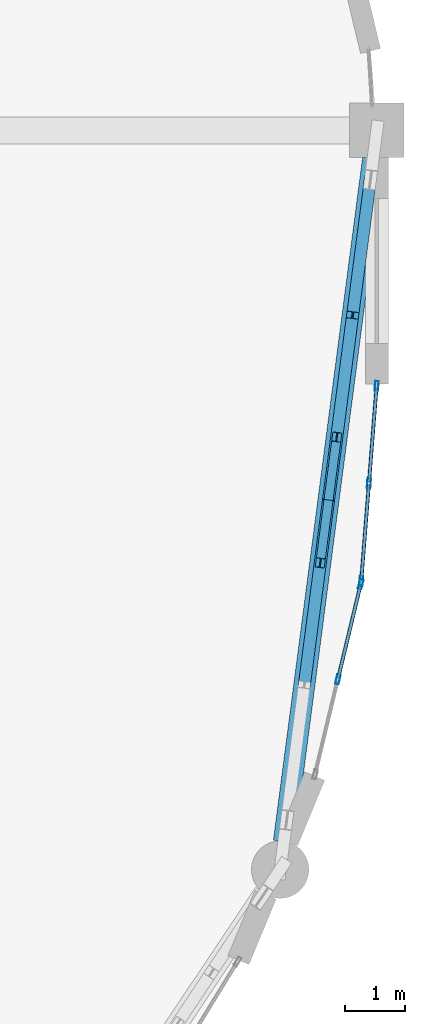
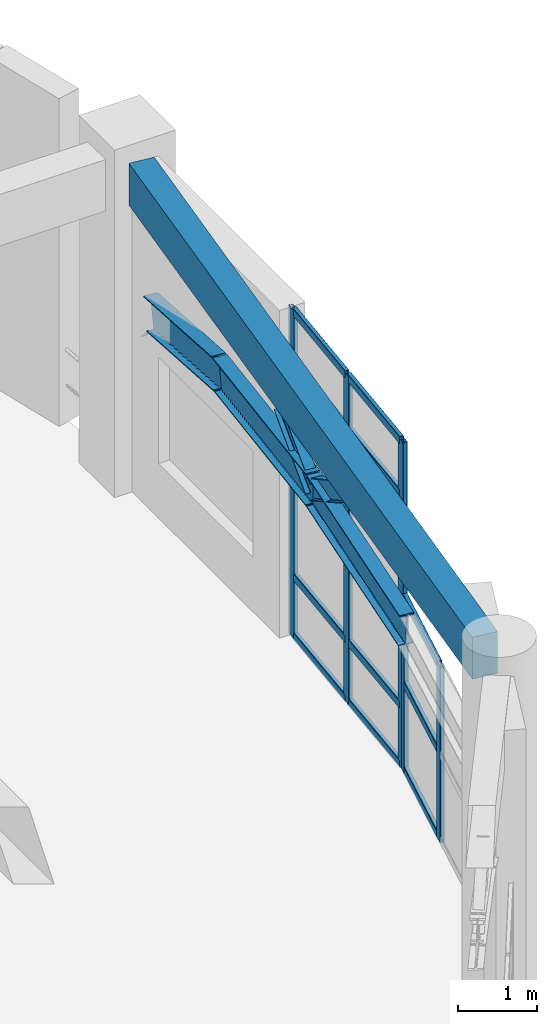
# One storey, part 59 of 114: 18 members, 4 beams, 2 elements without a shape of their own.
"""IFC4 building model written with IfcOpenShell, lengths in metres."""

import ifcopenshell
import ifcopenshell.guid

model = None  # the IFC model being written
_history = None  # IfcOwnerHistory: only IFC2X3 demands one
_inside = {}  # id of a spatial element -> (the spatial element, [elements in it])
_under = {}  # id of a project, library or spatial element -> (it, [spatial elements below it])
_declared = {}  # id of a project -> (the project, [libraries it declares])
_typed = {}  # id of a type object -> (the type object, [elements of that type])
_made_of = {}  # id of a material, layer set ... -> (it, [elements and type objects made of it])


def new_model(schema):
    """Start an empty IFC model of exactly this schema.

    Asked for "IFC4X3", IfcOpenShell would pick the latest addendum, in which some entities
    have other attributes; the version numbers below select the first issue.
    IFC2X3 requires an IfcOwnerHistory on every rooted entity: one is made here for all.
    """
    global model, _history
    if schema == "IFC4X3":
        model = ifcopenshell.file(schema_version=(4, 3, 0, 0))
    else:
        model = ifcopenshell.file(schema=schema)
    _inside.clear()
    _under.clear()
    _declared.clear()
    _typed.clear()
    _made_of.clear()
    _history = None
    if model.schema == "IFC2X3":
        org = make("IfcOrganization", Name="unknown")
        user = make(
            "IfcPersonAndOrganization",
            ThePerson=make("IfcPerson", FamilyName="unknown"),
            TheOrganization=org,
        )
        app = make(
            "IfcApplication",
            ApplicationDeveloper=org,
            Version="unknown",
            ApplicationFullName="unknown",
            ApplicationIdentifier="unknown",
        )
        _history = make(
            "IfcOwnerHistory",
            OwningUser=user,
            OwningApplication=app,
            ChangeAction="ADDED",
            CreationDate=0,
        )
    return model


def make(cls, **values):
    """One entity of the class cls with the attributes given. An attribute that is None is left unset."""
    return model.create_entity(
        cls, **{name: value for name, value in values.items() if value is not None}
    )


def rooted(cls, **values):
    """An entity with a GlobalId (a new one), such as an element, a storey or a relation."""
    return make(cls, GlobalId=ifcopenshell.guid.new(), OwnerHistory=_history, **values)


def si_unit(unit_type, name, prefix=None):
    """IfcSIUnit, for example si_unit("LENGTHUNIT", "METRE", prefix="MILLI")."""
    return make("IfcSIUnit", UnitType=unit_type, Prefix=prefix, Name=name)


def derived_unit(unit_type, elements):
    """IfcDerivedUnit: a product of units, each with its exponent."""
    return make(
        "IfcDerivedUnit",
        Elements=[
            make("IfcDerivedUnitElement", Unit=unit, Exponent=power)
            for unit, power in elements
        ],
        UnitType=unit_type,
    )


def assignment(units):
    """IfcUnitAssignment: the units of a project."""
    return None if units is None else make("IfcUnitAssignment", Units=units)


def point(xyz):
    """IfcCartesianPoint."""
    return None if xyz is None else make("IfcCartesianPoint", Coordinates=xyz)


def direction(xyz):
    """IfcDirection."""
    return None if xyz is None else make("IfcDirection", DirectionRatios=xyz)


def frame(location, z_axis=None, x_axis=None):
    """IfcAxis2Placement3D, a coordinate frame: its origin and axes. An axis left out is left unset."""
    return make(
        "IfcAxis2Placement3D",
        Location=point(location),
        Axis=direction(z_axis),
        RefDirection=direction(x_axis),
    )


def frame_2d(location, x_axis=None):
    """IfcAxis2Placement2D, a coordinate frame in the plane: its origin and x axis."""
    return make(
        "IfcAxis2Placement2D", Location=point(location), RefDirection=direction(x_axis)
    )


def origin():
    """The frame at (0, 0, 0) with its axes left unset."""
    return frame((0.0, 0.0, 0.0))


def origin_2d():
    """The frame at (0, 0) in the plane with its x axis left unset."""
    return frame_2d((0.0, 0.0))


def place(relative_to, where):
    """IfcLocalPlacement: puts the frame where relative to a parent placement (None: the world)."""
    return make(
        "IfcLocalPlacement", PlacementRelTo=relative_to, RelativePlacement=where
    )


def context(
    kind, dimensions, precision=None, world=None, true_north=None, identifier=None
):
    """IfcGeometricRepresentationContext, for example the 3D "Model" context."""
    return make(
        "IfcGeometricRepresentationContext",
        ContextIdentifier=identifier,
        ContextType=kind,
        CoordinateSpaceDimension=dimensions,
        Precision=precision,
        WorldCoordinateSystem=world,
        TrueNorth=true_north,
    )


def subcontext(parent, identifier, kind, view, scale=None):
    """IfcGeometricRepresentationSubContext, for example "Body" below "Model"."""
    return make(
        "IfcGeometricRepresentationSubContext",
        ContextIdentifier=identifier,
        ContextType=kind,
        ParentContext=parent,
        TargetScale=scale,
        TargetView=view,
    )


def project(units=None, contexts=None):
    """IfcProject with its units and contexts."""
    return rooted(
        "IfcProject",
        Name="project",
        RepresentationContexts=contexts,
        UnitsInContext=assignment(units),
    )


def spatial(cls, under=None, at=None, **own):
    """A site, building, storey or space (cls), placed at a placement, below another one or the project."""
    s = rooted(cls, ObjectPlacement=at, **own)
    if under is not None:
        _under.setdefault(under.id(), (under, []))[1].append(s)
    return s


def profile(cls, at=None, kind="AREA", **sizes):
    """A parametric profile (cls). Its sizes go by their IFC names, for example OverallWidth=200.0."""
    return make(cls, ProfileType=kind, Position=at, **sizes)


def rectangle(**sizes):
    """IfcRectangleProfileDef."""
    return profile("IfcRectangleProfileDef", **sizes)


def hollow_rectangle(**sizes):
    """IfcRectangleHollowProfileDef."""
    return profile("IfcRectangleHollowProfileDef", **sizes)


def i_section(**sizes):
    """IfcIShapeProfileDef."""
    return profile("IfcIShapeProfileDef", **sizes)


def extrude(swept, where, along, depth):
    """IfcExtrudedAreaSolid: the profile swept, set in the frame where, extruded along a direction by depth."""
    return make(
        "IfcExtrudedAreaSolid",
        SweptArea=swept,
        Position=where,
        ExtrudedDirection=direction(along),
        Depth=depth,
    )


def shape(context_of_items, identifier, shape_type, items):
    """IfcShapeRepresentation: the items that make up one representation, for example the "Body"."""
    return make(
        "IfcShapeRepresentation",
        ContextOfItems=context_of_items,
        RepresentationIdentifier=identifier,
        RepresentationType=shape_type,
        Items=items,
    )


def material(Name=None, Category=None):
    """IfcMaterial."""
    return make("IfcMaterial", Name=Name, Category=Category)


def layer(
    of_material, thickness, ventilated=None, Name=None, Category=None, Priority=None
):
    """IfcMaterialLayer: one layer of a wall or slab, of a material (None: an air gap)."""
    return make(
        "IfcMaterialLayer",
        Material=of_material,
        LayerThickness=thickness,
        IsVentilated=ventilated,
        Name=Name,
        Category=Category,
        Priority=Priority,
    )


def layer_set(layers, Name=None):
    """IfcMaterialLayerSet."""
    return make("IfcMaterialLayerSet", MaterialLayers=layers, LayerSetName=Name)


def material_profile(
    of_material, cross_section, Name=None, Category=None, Priority=None
):
    """IfcMaterialProfile: a cross section and its material."""
    return make(
        "IfcMaterialProfile",
        Name=Name,
        Material=of_material,
        Profile=cross_section,
        Priority=Priority,
        Category=Category,
    )


def profile_set(profiles, Name=None, composite=None):
    """IfcMaterialProfileSet."""
    return make(
        "IfcMaterialProfileSet",
        Name=Name,
        MaterialProfiles=profiles,
        CompositeProfile=composite,
    )


def made_of(thing, what):
    """Note that an element or type object is made of a material, layer set ...; save() writes the relation."""
    if what is not None:
        _made_of.setdefault(what.id(), (what, []))[1].append(thing)
    return thing


def type_object(cls, material=None, **own):
    """A type object (cls), such as IfcWallType, which elements share."""
    return made_of(rooted(cls, **own), material)


def element(
    cls,
    number,
    at=None,
    inside=None,
    cuts=None,
    type_object=None,
    material=None,
    context=None,
    identifier="Body",
    shape_type=None,
    held_by="IfcProductDefinitionShape",
    body=None,
    shapes=None,
    **own,
):
    """One element of the class cls, such as IfcWall. Its Tag is "e" and its number.

    at: its placement. inside: the storey or other place that contains it. cuts: it is an
    opening in that element (IfcRelVoidsElement). A single representation is given by context,
    identifier, shape_type and body (its items); several are given by shapes. held_by: the class
    of the entity that holds the representations. save() writes the other relations.
    """
    e = rooted(cls, Tag="e%d" % number, ObjectPlacement=at, **own)
    if body is not None:
        shapes = [shape(context, identifier, shape_type, body)]
    if shapes is not None:
        e.Representation = make(held_by, Representations=shapes)
    if inside is not None:
        _inside.setdefault(inside.id(), (inside, []))[1].append(e)
    if cuts is not None:
        rooted(
            "IfcRelVoidsElement", RelatingBuildingElement=cuts, RelatedOpeningElement=e
        )
    if type_object is not None:
        _typed.setdefault(type_object.id(), (type_object, []))[1].append(e)
    return made_of(e, material)


def aggregate(whole, parts):
    """IfcRelAggregates: a whole, such as a stair, and the parts it consists of."""
    return rooted("IfcRelAggregates", RelatingObject=whole, RelatedObjects=parts)


def save(model, path):
    """Write the relations noted so far, then the file.

    IfcRelAggregates (storeys below a building ...), IfcRelContainedInSpatialStructure (elements
    in a storey), IfcRelDefinesByType, IfcRelAssociatesMaterial and IfcRelDeclares: one each for
    every whole, place, type object, material and project.
    """
    for whole, parts in _under.values():
        aggregate(whole, parts)
    for where, things in _inside.values():
        rooted(
            "IfcRelContainedInSpatialStructure",
            RelatedElements=things,
            RelatingStructure=where,
        )
    for kind, things in _typed.values():
        rooted("IfcRelDefinesByType", RelatedObjects=things, RelatingType=kind)
    for what, things in _made_of.values():
        rooted("IfcRelAssociatesMaterial", RelatedObjects=things, RelatingMaterial=what)
    for by, libraries in _declared.values():
        rooted("IfcRelDeclares", RelatingContext=by, RelatedDefinitions=libraries)
    model.write(path)


model = new_model("IFC4")

# Units and contexts
model_context = context("Model", 3, precision=1e-05, world=origin(), true_north=direction((0.0, 1.0)))
body_context = subcontext(model_context, "Body", "Model", "MODEL_VIEW")
ifc_project = project(units=[si_unit("LENGTHUNIT", "METRE"), si_unit("AREAUNIT", "SQUARE_METRE"), si_unit("VOLUMEUNIT", "CUBIC_METRE"), si_unit("PLANEANGLEUNIT", "RADIAN"), si_unit("MASSUNIT", "GRAM", prefix="KILO"), derived_unit("THERMALTRANSMITTANCEUNIT", [(si_unit("MASSUNIT", "GRAM", prefix="KILO"), 1), (si_unit("TIMEUNIT", "SECOND"), -3), (si_unit("THERMODYNAMICTEMPERATUREUNIT", "KELVIN"), -1)])], contexts=[model_context])

# Site, building, storey
site_placement = place(None, origin())
site = spatial("IfcSite", under=ifc_project, at=site_placement, CompositionType="ELEMENT")
building_placement = place(site_placement, origin())
building = spatial("IfcBuilding", under=site, at=building_placement, Name="Qinzheling Arcade Emporium", CompositionType="ELEMENT")
storey_placement = place(building_placement, frame((0.0, 0.0, 6.0)))
storey = spatial("IfcBuildingStorey", under=building, at=storey_placement, Name="L02", CompositionType="ELEMENT", Elevation=6.0)

# Beams
ifc_material_1 = material(Name="Weathering steel Q355NH", Category="steel")
ifc_material_profile_1 = material_profile(ifc_material_1, i_section(OverallWidth=0.199951171875, OverallDepth=0.5, WebThickness=0.010009765625, FlangeThickness=0.01611328125, FilletRadius=0.01806640625, at=origin_2d()), Name="HN 500x200x10x16", Category="steel")
ifc_profile_set_1 = profile_set([ifc_material_profile_1], Name="Weathering steel Q355NH")
beam_type_1 = type_object("IfcBeamType", Name="Arcade End Arch Rib HN500 Q355NH", PredefinedType="BEAM", material=ifc_profile_set_1)
beam_1_placement = place(storey_placement, frame((172.801025390625, 16.02294921875, 3.509033203125), z_axis=(0.129375867693, 0.989670099016, 0.061765524137), x_axis=(-0.991563303448, 0.129623359222, 0.0)))
element("IfcBeam", 1, at=beam_1_placement, inside=storey, type_object=beam_type_1, Name="Curved Arcade Entrance Arch ARC-L02-CV4-B04-C03", PredefinedType="BEAM", context=body_context, shape_type="SweptSolid", body=[
    extrude(i_section(OverallWidth=0.199951171875, OverallDepth=0.5, WebThickness=0.010009765625, FlangeThickness=0.01611328125, FilletRadius=0.01806640625, at=origin_2d()), origin(), (0.0, 0.0, 1.0), 3.091064453125),
])
beam_2_placement = place(storey_placement, frame((173.200927734375, 19.08203125, 3.699951171875), z_axis=(0.129142870979, 0.989700411842, -0.061767415967), x_axis=(-0.991593790574, 0.12938993197, 0.0)))
element("IfcBeam", 2, at=beam_2_placement, inside=storey, type_object=beam_type_1, Name="Curved Arcade Entrance Arch ARC-L02-CV4-B04-C04", PredefinedType="BEAM", context=body_context, shape_type="SweptSolid", body=[
    extrude(i_section(OverallWidth=0.199951171875, OverallDepth=0.5, WebThickness=0.010009765625, FlangeThickness=0.01611328125, FilletRadius=0.01806640625, at=origin_2d()), origin(), (0.0, 0.0, 1.0), 3.0908203125),
])
beam_3_placement = place(storey_placement, frame((173.60009765625, 22.14111328125, 3.509033203125), z_axis=(0.126432921317, 0.966158240396, -0.224839878408), x_axis=(-0.991546058255, 0.129755209368, 0.0)))
element("IfcBeam", 3, at=beam_3_placement, inside=storey, type_object=beam_type_1, Name="Curved Arcade Entrance Arch ARC-L02-CV4-B04-C05", PredefinedType="BEAM", context=body_context, shape_type="SweptSolid", body=[
    extrude(i_section(OverallWidth=0.199951171875, OverallDepth=0.5, WebThickness=0.010009765625, FlangeThickness=0.01611328125, FilletRadius=0.01806640625, at=origin_2d()), origin(), (0.0, 0.0, 1.0), 2.317138671875),
])

# Members
ifc_material_profile_2 = material_profile(ifc_material_1, i_section(OverallWidth=0.14990234375, OverallDepth=0.300048828125, WebThickness=0.006591796875, FlangeThickness=0.009033203125, FilletRadius=0.012939453125, at=origin_2d()), Name="HN 300x150x6.5x9", Category="steel")
ifc_profile_set_2 = profile_set([ifc_material_profile_2], Name="Weathering steel Q355NH")
member_type_1 = type_object("IfcMemberType", Name="Arcade Spandrel Web Chord HN300 Q355NH", PredefinedType="CHORD", material=ifc_profile_set_2)
for number, where, z_axis, x_axis, name in (
    (4, (173.200927734375, 19.08203125, 3.7099609375), (-0.111375968194, -0.84653677073, 0.52054864279), (0.9914558783, -0.13044248305, 0.0), "Arcade Spandrel Web Chord ASW-L02-CV4-B04-W1"),
    (5, (173.200927734375, 19.08203125, 3.7099609375), (0.110591590629, 0.846611386789, 0.520594525366), (-0.991575755432, 0.129528071242, 0.0), "Arcade Spandrel Web Chord ASW-L02-CV4-B04-W2"),
):
    element("IfcMember", number, at=place(storey_placement, frame(where, z_axis=z_axis, x_axis=x_axis)), inside=storey, type_object=member_type_1, Name=name, PredefinedType="CHORD", context=body_context, shape_type="SweptSolid", body=[
        extrude(i_section(OverallWidth=0.14990234375, OverallDepth=0.300048828125, WebThickness=0.006591796875, FlangeThickness=0.009033203125, FilletRadius=0.012939453125, at=origin_2d()), origin(), (0.0, 0.0, 1.0), 1.229736328125),
    ])

# Curtain wall, members
ifc_material_2 = material(Name="Anodised aluminium and solar-control double glazing", Category="aluminium")
ifc_layer = layer(ifc_material_2, 0.159912109375, Name="Anodised aluminium and solar-control double glazing", Category="aluminium")
ifc_layer_set = layer_set([ifc_layer], Name="Anodised aluminium and solar-control double glazing")
curtain_wall_type = type_object("IfcCurtainWallType", Name="Curved Ribbon Sales Curtain Wall", PredefinedType="NOTDEFINED", material=ifc_layer_set)
curtain_wall_1_placement = place(storey_placement, origin())
curtain_wall_1 = element("IfcCurtainWall", 6, at=curtain_wall_1_placement, inside=storey, type_object=curtain_wall_type, Name="Curtain Wall CW-L02-049", PredefinedType="NOTDEFINED")
ifc_material_3 = material(Name="Anodised aluminium 6063-T6", Category="aluminium")
ifc_material_profile_3 = material_profile(ifc_material_3, hollow_rectangle(XDim=0.06005859375, YDim=0.159912109375, WallThickness=0.00390625, InnerFilletRadius=0.00390625, OuterFilletRadius=0.008056640625, at=origin_2d()), Name="RHS 160x60x4", Category="aluminium")
ifc_profile_set_3 = profile_set([ifc_material_profile_3], Name="Anodised aluminium 6063-T6")
member_type_2 = type_object("IfcMemberType", Name="Curtain Wall Mullion RHS160x60", PredefinedType="MULLION", material=ifc_profile_set_3)
member_1_placement = place(storey_placement, frame((173.99755859375, 20.97021484375, 0.0), z_axis=(0.0, 0.0, 1.0), x_axis=(0.996906288818, -0.078599308618, 0.0)))
member_1 = element("IfcMember", 7, at=member_1_placement, type_object=member_type_2, Name="CW02 mullion 1", PredefinedType="MULLION", context=body_context, shape_type="SweptSolid", body=[
    extrude(hollow_rectangle(XDim=0.06005859375, YDim=0.159912109375, WallThickness=0.00390625, InnerFilletRadius=0.00390625, OuterFilletRadius=0.008056640625, at=origin_2d()), origin(), (0.0, 0.0, 1.0), 5.090087890625),
])
member_2_placement = place(storey_placement, frame((173.87060546875, 19.357421875, 0.0), z_axis=(0.0, 0.0, 1.0), x_axis=(0.996906288818, -0.078599308618, 0.0)))
member_2 = element("IfcMember", 8, at=member_2_placement, type_object=member_type_2, Name="CW02 mullion 2", PredefinedType="MULLION", context=body_context, shape_type="SweptSolid", body=[
    extrude(hollow_rectangle(XDim=0.06005859375, YDim=0.159912109375, WallThickness=0.00390625, InnerFilletRadius=0.00390625, OuterFilletRadius=0.008056640625, at=origin_2d()), origin(), (0.0, 0.0, 1.0), 5.090087890625),
])
member_3_placement = place(storey_placement, frame((173.743408203125, 17.744873046875, 0.0), z_axis=(0.0, 0.0, 1.0), x_axis=(0.996906288818, -0.078599308618, 0.0)))
member_3 = element("IfcMember", 9, at=member_3_placement, type_object=member_type_2, Name="CW02 mullion 3", PredefinedType="MULLION", context=body_context, shape_type="SweptSolid", body=[
    extrude(hollow_rectangle(XDim=0.06005859375, YDim=0.159912109375, WallThickness=0.00390625, InnerFilletRadius=0.00390625, OuterFilletRadius=0.008056640625, at=origin_2d()), origin(), (0.0, 0.0, 1.0), 5.090087890625),
])

curtain_wall_2_placement = place(storey_placement, origin())
curtain_wall_2 = element("IfcCurtainWall", 10, at=curtain_wall_2_placement, inside=storey, type_object=curtain_wall_type, Name="Curtain Wall CW-L02-050", PredefinedType="NOTDEFINED")
member_4_placement = place(storey_placement, frame((173.73388671875, 17.685791015625, 0.0), z_axis=(0.0, 0.0, 1.0), x_axis=(0.972384547081, -0.233384430923, 0.0)))
member_4 = element("IfcMember", 11, at=member_4_placement, type_object=member_type_2, Name="CW02 mullion 1", PredefinedType="MULLION", context=body_context, shape_type="SweptSolid", body=[
    extrude(hollow_rectangle(XDim=0.06005859375, YDim=0.159912109375, WallThickness=0.00390625, InnerFilletRadius=0.00390625, OuterFilletRadius=0.008056640625, at=origin_2d()), origin(), (0.0, 0.0, 1.0), 2.722900390625),
])
member_5_placement = place(storey_placement, frame((173.3564453125, 16.113037109375, 0.0), z_axis=(0.0, 0.0, 1.0), x_axis=(0.972384547081, -0.233384430923, 0.0)))
member_5 = element("IfcMember", 12, at=member_5_placement, type_object=member_type_2, Name="CW02 mullion 2", PredefinedType="MULLION", context=body_context, shape_type="SweptSolid", body=[
    extrude(hollow_rectangle(XDim=0.06005859375, YDim=0.159912109375, WallThickness=0.00390625, InnerFilletRadius=0.00390625, OuterFilletRadius=0.008056640625, at=origin_2d()), origin(), (0.0, 0.0, 1.0), 2.722900390625),
])

# Member
ifc_material_profile_4 = material_profile(ifc_material_3, hollow_rectangle(XDim=0.06005859375, YDim=0.1201171875, WallThickness=0.00390625, InnerFilletRadius=0.00390625, OuterFilletRadius=0.008056640625, at=origin_2d()), Name="RHS 120x60x4", Category="aluminium")
ifc_profile_set_4 = profile_set([ifc_material_profile_4], Name="Anodised aluminium 6063-T6")
member_type_3 = type_object("IfcMemberType", Name="Curtain Wall Transom RHS120x60", PredefinedType="USERDEFINED", material=ifc_profile_set_4)
member_6_placement = place(storey_placement, frame((173.995361328125, 20.940185546875, 0.030029296875), z_axis=(-0.078686088114, -0.996899443042, 0.0), x_axis=(0.996899443042, -0.078686088114, 0.0)))
member_6 = element("IfcMember", 13, at=member_6_placement, type_object=member_type_3, Name="CW02 transom 1.1", ObjectType="TRANSOM", PredefinedType="USERDEFINED", context=body_context, shape_type="SweptSolid", body=[
    extrude(hollow_rectangle(XDim=0.06005859375, YDim=0.1201171875, WallThickness=0.00390625, InnerFilletRadius=0.00390625, OuterFilletRadius=0.008056640625, at=origin_2d()), origin(), (0.0, 0.0, 1.0), 1.5576171875),
])

member_7_placement = place(storey_placement, frame((173.995361328125, 20.940185546875, 0.949951171875), z_axis=(-0.078686088114, -0.996899443042, 0.0), x_axis=(0.996899443042, -0.078686088114, 0.0)))
member_7 = element("IfcMember", 14, at=member_7_placement, type_object=member_type_3, Name="CW02 transom 1.2", ObjectType="TRANSOM", PredefinedType="USERDEFINED", context=body_context, shape_type="SweptSolid", body=[
    extrude(hollow_rectangle(XDim=0.06005859375, YDim=0.1201171875, WallThickness=0.00390625, InnerFilletRadius=0.00390625, OuterFilletRadius=0.008056640625, at=origin_2d()), origin(), (0.0, 0.0, 1.0), 1.5576171875),
])

member_8_placement = place(storey_placement, frame((173.995361328125, 20.940185546875, 4.239990234375), z_axis=(-0.078686088114, -0.996899443042, 0.0), x_axis=(0.996899443042, -0.078686088114, 0.0)))
member_8 = element("IfcMember", 15, at=member_8_placement, type_object=member_type_3, Name="CW02 transom 1.3", ObjectType="TRANSOM", PredefinedType="USERDEFINED", context=body_context, shape_type="SweptSolid", body=[
    extrude(hollow_rectangle(XDim=0.06005859375, YDim=0.1201171875, WallThickness=0.00390625, InnerFilletRadius=0.00390625, OuterFilletRadius=0.008056640625, at=origin_2d()), origin(), (0.0, 0.0, 1.0), 1.5576171875),
])

member_9_placement = place(storey_placement, frame((173.995361328125, 20.940185546875, 5.06005859375), z_axis=(-0.078686088114, -0.996899443042, 0.0), x_axis=(0.996899443042, -0.078686088114, 0.0)))
member_9 = element("IfcMember", 16, at=member_9_placement, type_object=member_type_3, Name="CW02 transom 1.4", ObjectType="TRANSOM", PredefinedType="USERDEFINED", context=body_context, shape_type="SweptSolid", body=[
    extrude(hollow_rectangle(XDim=0.06005859375, YDim=0.1201171875, WallThickness=0.00390625, InnerFilletRadius=0.00390625, OuterFilletRadius=0.008056640625, at=origin_2d()), origin(), (0.0, 0.0, 1.0), 1.5576171875),
])

member_10_placement = place(storey_placement, frame((173.8681640625, 19.32763671875, 0.030029296875), z_axis=(-0.078686088114, -0.996899443042, 0.0), x_axis=(0.996899443042, -0.078686088114, 0.0)))
member_10 = element("IfcMember", 17, at=member_10_placement, type_object=member_type_3, Name="CW02 transom 2.1", ObjectType="TRANSOM", PredefinedType="USERDEFINED", context=body_context, shape_type="SweptSolid", body=[
    extrude(hollow_rectangle(XDim=0.06005859375, YDim=0.1201171875, WallThickness=0.00390625, InnerFilletRadius=0.00390625, OuterFilletRadius=0.008056640625, at=origin_2d()), origin(), (0.0, 0.0, 1.0), 1.5576171875),
])

member_11_placement = place(storey_placement, frame((173.8681640625, 19.32763671875, 0.949951171875), z_axis=(-0.078686088114, -0.996899443042, 0.0), x_axis=(0.996899443042, -0.078686088114, 0.0)))
member_11 = element("IfcMember", 18, at=member_11_placement, type_object=member_type_3, Name="CW02 transom 2.2", ObjectType="TRANSOM", PredefinedType="USERDEFINED", context=body_context, shape_type="SweptSolid", body=[
    extrude(hollow_rectangle(XDim=0.06005859375, YDim=0.1201171875, WallThickness=0.00390625, InnerFilletRadius=0.00390625, OuterFilletRadius=0.008056640625, at=origin_2d()), origin(), (0.0, 0.0, 1.0), 1.5576171875),
])

member_12_placement = place(storey_placement, frame((173.8681640625, 19.32763671875, 4.239990234375), z_axis=(-0.078686088114, -0.996899443042, 0.0), x_axis=(0.996899443042, -0.078686088114, 0.0)))
member_12 = element("IfcMember", 19, at=member_12_placement, type_object=member_type_3, Name="CW02 transom 2.3", ObjectType="TRANSOM", PredefinedType="USERDEFINED", context=body_context, shape_type="SweptSolid", body=[
    extrude(hollow_rectangle(XDim=0.06005859375, YDim=0.1201171875, WallThickness=0.00390625, InnerFilletRadius=0.00390625, OuterFilletRadius=0.008056640625, at=origin_2d()), origin(), (0.0, 0.0, 1.0), 1.5576171875),
])

member_13_placement = place(storey_placement, frame((173.8681640625, 19.32763671875, 5.06005859375), z_axis=(-0.078686088114, -0.996899443042, 0.0), x_axis=(0.996899443042, -0.078686088114, 0.0)))
member_13 = element("IfcMember", 20, at=member_13_placement, type_object=member_type_3, Name="CW02 transom 2.4", ObjectType="TRANSOM", PredefinedType="USERDEFINED", context=body_context, shape_type="SweptSolid", body=[
    extrude(hollow_rectangle(XDim=0.06005859375, YDim=0.1201171875, WallThickness=0.00390625, InnerFilletRadius=0.00390625, OuterFilletRadius=0.008056640625, at=origin_2d()), origin(), (0.0, 0.0, 1.0), 1.5576171875),
])

aggregate(curtain_wall_1, [member_1, member_2, member_3, member_6, member_7, member_8, member_9, member_10, member_11, member_12, member_13])

member_14_placement = place(storey_placement, frame((173.72705078125, 17.65673828125, 0.030029296875), z_axis=(-0.233378880433, -0.972385879252, 0.0), x_axis=(0.972385879252, -0.233378880433, 0.0)))
member_14 = element("IfcMember", 21, at=member_14_placement, type_object=member_type_3, Name="CW02 transom 1.1", ObjectType="TRANSOM", PredefinedType="USERDEFINED", context=body_context, shape_type="SweptSolid", body=[
    extrude(hollow_rectangle(XDim=0.06005859375, YDim=0.1201171875, WallThickness=0.00390625, InnerFilletRadius=0.00390625, OuterFilletRadius=0.008056640625, at=origin_2d()), origin(), (0.0, 0.0, 1.0), 1.5576171875),
])

member_15_placement = place(storey_placement, frame((173.72705078125, 17.65673828125, 1.362060546875), z_axis=(-0.233378880433, -0.972385879252, 0.0), x_axis=(0.972385879252, -0.233378880433, 0.0)))
member_15 = element("IfcMember", 22, at=member_15_placement, type_object=member_type_3, Name="CW02 transom 1.2", ObjectType="TRANSOM", PredefinedType="USERDEFINED", context=body_context, shape_type="SweptSolid", body=[
    extrude(hollow_rectangle(XDim=0.06005859375, YDim=0.1201171875, WallThickness=0.00390625, InnerFilletRadius=0.00390625, OuterFilletRadius=0.008056640625, at=origin_2d()), origin(), (0.0, 0.0, 1.0), 1.5576171875),
])

member_16_placement = place(storey_placement, frame((173.72705078125, 17.65673828125, 2.693115234375), z_axis=(-0.233378880433, -0.972385879252, 0.0), x_axis=(0.972385879252, -0.233378880433, 0.0)))
member_16 = element("IfcMember", 23, at=member_16_placement, type_object=member_type_3, Name="CW02 transom 1.3", ObjectType="TRANSOM", PredefinedType="USERDEFINED", context=body_context, shape_type="SweptSolid", body=[
    extrude(hollow_rectangle(XDim=0.06005859375, YDim=0.1201171875, WallThickness=0.00390625, InnerFilletRadius=0.00390625, OuterFilletRadius=0.008056640625, at=origin_2d()), origin(), (0.0, 0.0, 1.0), 1.5576171875),
])

aggregate(curtain_wall_2, [member_4, member_5, member_14, member_15, member_16])

# Beam
ifc_material_4 = material(Name="Concrete C40", Category="concrete")
ifc_material_profile_5 = material_profile(ifc_material_4, rectangle(XDim=0.35009765625, YDim=0.64990234375, at=origin_2d()), Name="RC 350x650", Category="concrete")
ifc_profile_set_5 = profile_set([ifc_material_profile_5], Name="Concrete C40")
beam_type_2 = type_object("IfcBeamType", Name="RC Spandrel Edge Beam 350x650 C40", PredefinedType="SPANDREL", material=ifc_profile_set_5)
beam_4_placement = place(storey_placement, frame((172.4619140625, 13.429931640625, 4.794921875), z_axis=(0.129565319935, 0.991570888979, 0.0), x_axis=(-0.991570888979, 0.129565319935, 0.0)))
element("IfcBeam", 24, at=beam_4_placement, inside=storey, type_object=beam_type_2, Name="Curved Arcade Spandrel BM-L02-CV4-B04", PredefinedType="SPANDREL", context=body_context, shape_type="SweptSolid", body=[
    extrude(rectangle(XDim=0.35009765625, YDim=0.64990234375, at=origin_2d()), origin(), (0.0, 0.0, 1.0), 11.400146484375),
])

save(model, "model.ifc")
